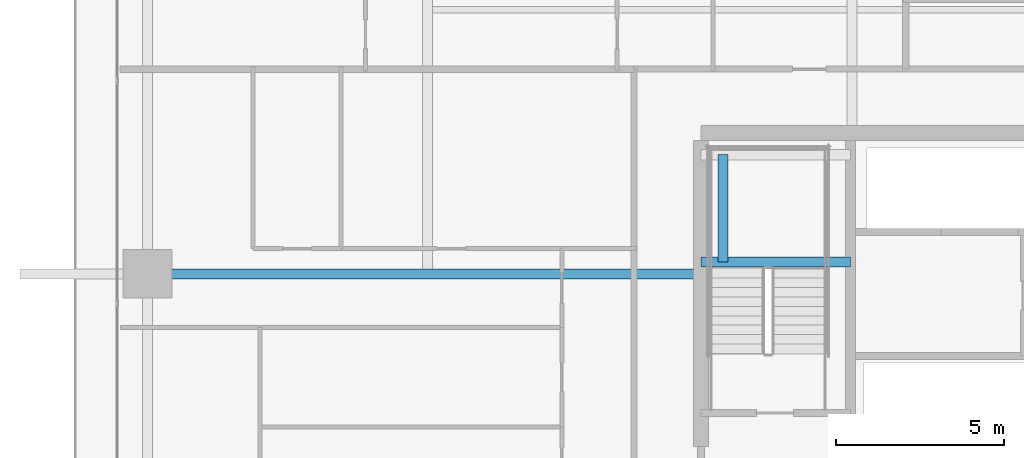
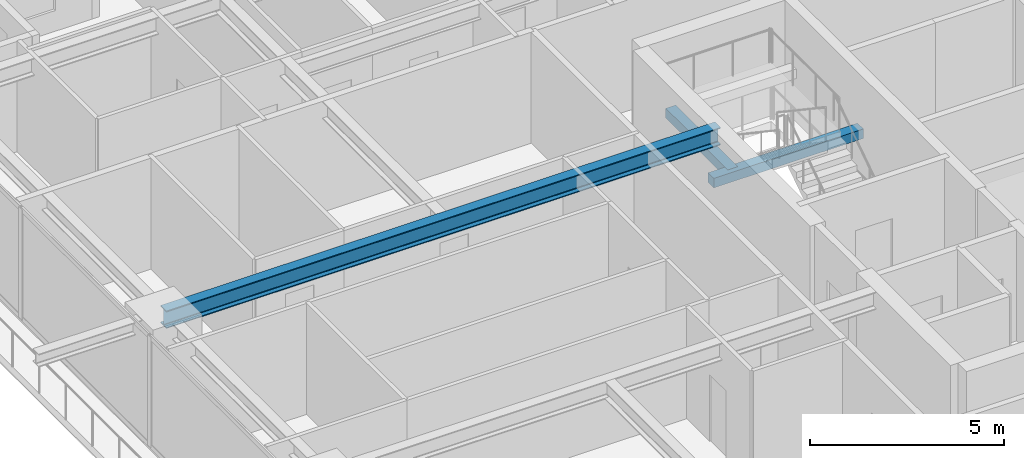
# One storey, part 9 of 38: 3 beams.
"""IFC4 building model written with IfcOpenShell, lengths in metres."""

from ifc_helpers import new_model, si_unit, direction, frame, origin, origin_2d, place, context, subcontext, project, spatial, rectangle, i_section, extrude, source, transform, mapped, material, material_profile, profile_set, type_object, element, save


model = new_model("IFC4")

# Units and contexts
model_context = context("Model", 3, precision=1e-05, world=origin(), true_north=direction((0.0, 1.0)))
body_context = subcontext(model_context, "Body", "Model", "MODEL_VIEW")
ifc_project = project(units=[si_unit("LENGTHUNIT", "METRE"), si_unit("AREAUNIT", "SQUARE_METRE"), si_unit("VOLUMEUNIT", "CUBIC_METRE"), si_unit("PLANEANGLEUNIT", "RADIAN"), si_unit("MASSUNIT", "GRAM", prefix="KILO")], contexts=[model_context])

# Site, building, storey
site_placement = place(None, origin())
site = spatial("IfcSite", under=ifc_project, at=site_placement, CompositionType="ELEMENT")
building_placement = place(site_placement, origin())
building = spatial("IfcBuilding", under=site, at=building_placement, Name="Serunith Strait Residences", CompositionType="ELEMENT")
storey_placement = place(building_placement, frame((0.0, 0.0, 82.949951171875)))
storey = spatial("IfcBuildingStorey", under=building, at=storey_placement, Name="L20", CompositionType="ELEMENT", Elevation=82.949951171875)

# Beams
ifc_material_1 = material(Name="Steel S355J2", Category="steel")
ifc_material_profile_1 = material_profile(ifc_material_1, i_section(OverallWidth=0.300048828125, OverallDepth=0.550048828125, WebThickness=0.014892578125, FlangeThickness=0.029052734375, FilletRadius=0.027099609375, at=origin_2d()), Name="HEB 550")
ifc_profile_set_1 = profile_set([ifc_material_profile_1], Name="Steel S355J2")
beam_type_1 = type_object("IfcBeamType", Name="BM-HEB550", PredefinedType="BEAM", material=ifc_profile_set_1)
shared_shape_1 = source(origin(), body_context, "Body", "SweptSolid", [
    extrude(i_section(OverallWidth=0.300048828125, OverallDepth=0.550048828125, WebThickness=0.014892578125, FlangeThickness=0.029052734375, FilletRadius=0.027099609375, at=origin_2d()), origin(), (0.0, 0.0, 1.0), 16.5),
])
beam_1_placement = place(storey_placement, frame((23.39990234375, 29.39990234375, 3.212158203125), z_axis=(-1.0, 0.0, 0.0), x_axis=(0.0, -1.0, 0.0)))
element("IfcBeam", 1, at=beam_1_placement, inside=storey, type_object=beam_type_1, Name="L20 Primary Floor Girder TC-W3", PredefinedType="BEAM", context=body_context, shape_type="MappedRepresentation", body=[
    mapped(shared_shape_1, transform((0.0, 0.0, 0.0), scale=1.0)),
])
ifc_material_2 = material(Name="Concrete C60/75", Category="concrete")
ifc_material_profile_2 = material_profile(ifc_material_2, rectangle(XDim=0.300048828125, YDim=0.300048828125, at=origin_2d()), Name="RC 300x300")
ifc_profile_set_2 = profile_set([ifc_material_profile_2], Name="Concrete C60/75")
beam_type_2 = type_object("IfcBeamType", Name="BM-LAND-300x300", PredefinedType="BEAM", material=ifc_profile_set_2)
shared_shape_2 = source(origin(), body_context, "Body", "SweptSolid", [
    extrude(rectangle(XDim=0.300048828125, YDim=0.300048828125, at=origin_2d()), origin(), (0.0, 0.0, 1.0), 4.4501953125),
])
beam_2_placement = place(storey_placement, frame((23.39990234375, 29.75, 1.525146484375), z_axis=(1.0, 0.0, 0.0), x_axis=(0.0, 1.0, 0.0)))
element("IfcBeam", 2, at=beam_2_placement, inside=storey, type_object=beam_type_2, Name="L20 ST-1 Landing Support Beam 1", PredefinedType="BEAM", context=body_context, shape_type="MappedRepresentation", body=[
    mapped(shared_shape_2, transform((0.0, 0.0, 0.0), scale=1.0)),
])
shared_shape_3 = source(origin(), body_context, "Body", "SweptSolid", [
    extrude(rectangle(XDim=0.300048828125, YDim=0.300048828125, at=origin_2d()), origin(), (0.0, 0.0, 1.0), 3.199951171875),
])
beam_3_placement = place(storey_placement, frame((24.050048828125, 29.75, 1.525146484375), z_axis=(0.0, 1.0, 0.0), x_axis=(-1.0, 0.0, 0.0)))
element("IfcBeam", 3, at=beam_3_placement, inside=storey, type_object=beam_type_2, Name="L20 ST-1 Landing Transverse Tie Beam", PredefinedType="BEAM", context=body_context, shape_type="MappedRepresentation", body=[
    mapped(shared_shape_3, transform((0.0, 0.0, 0.0), scale=1.0)),
])

save(model, "model.ifc")
